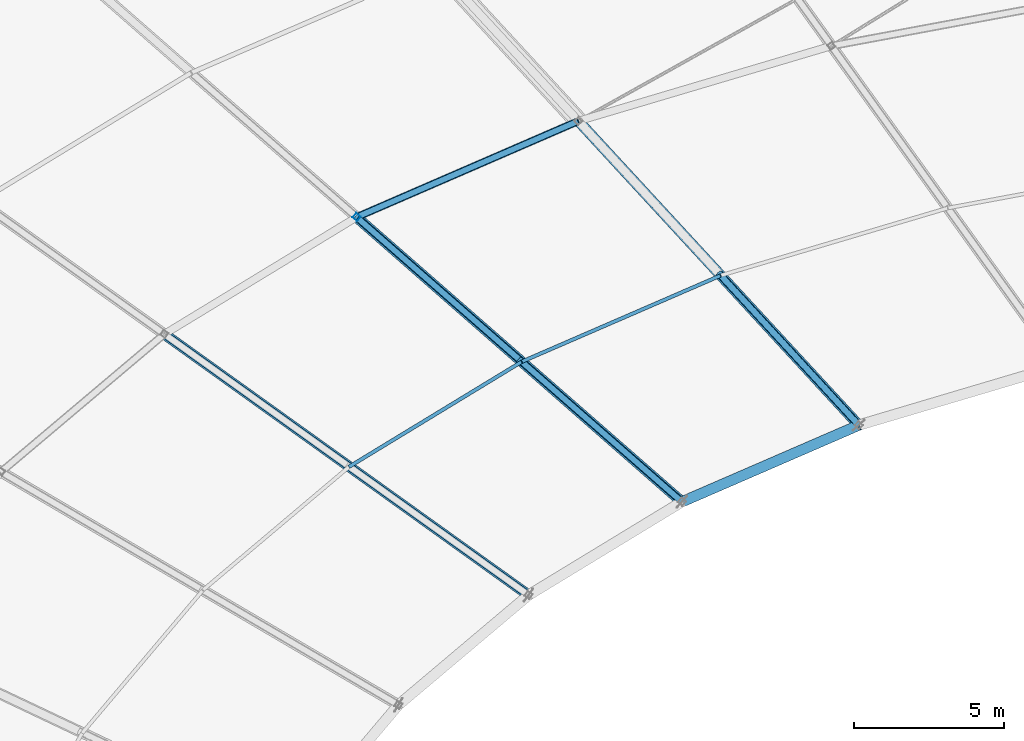
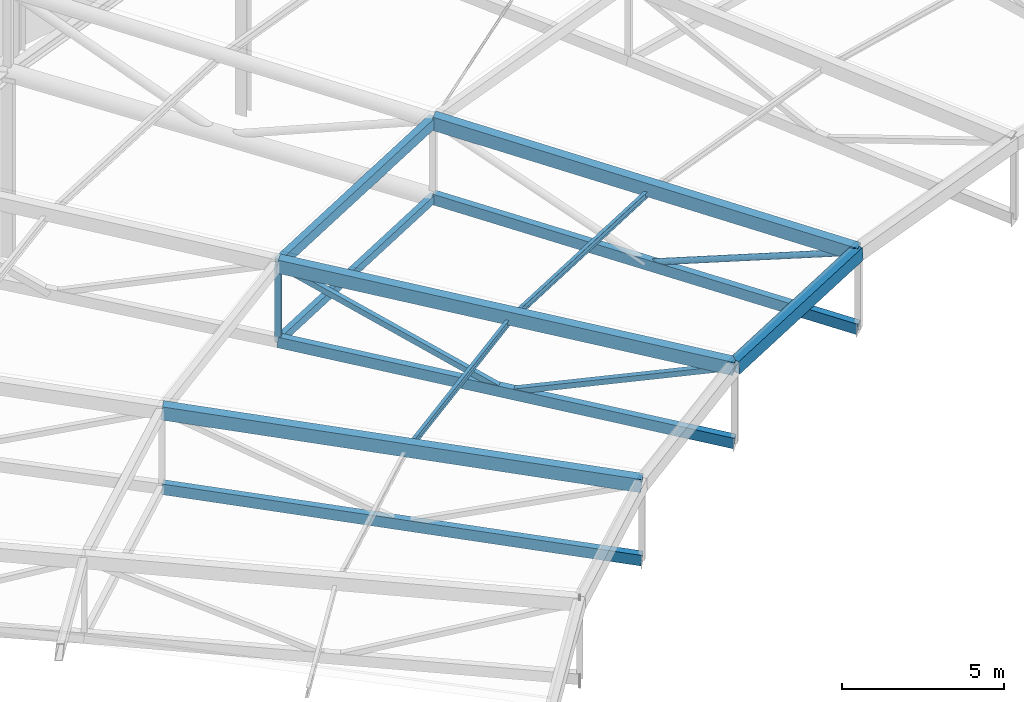
# One storey, part 51 of 143: 8 beams, 7 members.
"""IFC4 building model written with IfcOpenShell, lengths in metres."""

from ifc_helpers import new_model, si_unit, direction, frame, origin, origin_2d, place, context, subcontext, project, spatial, hollow_rectangle, hollow_circle, i_section, extrude, material, material_profile, profile_set, type_object, element, save


model = new_model("IFC4")

# Units and contexts
model_context = context("Model", 3, precision=1e-05, world=origin(), true_north=direction((0.0, 1.0)))
body_context = subcontext(model_context, "Body", "Model", "MODEL_VIEW")
ifc_project = project(units=[si_unit("LENGTHUNIT", "METRE"), si_unit("AREAUNIT", "SQUARE_METRE"), si_unit("VOLUMEUNIT", "CUBIC_METRE"), si_unit("PLANEANGLEUNIT", "RADIAN"), si_unit("MASSUNIT", "GRAM", prefix="KILO")], contexts=[model_context])

# Site, building, storey
site_placement = place(None, origin())
site = spatial("IfcSite", under=ifc_project, at=site_placement, CompositionType="ELEMENT")
building_placement = place(site_placement, origin())
building = spatial("IfcBuilding", under=site, at=building_placement, Name="Mphavela Belvedere Stadium", CompositionType="ELEMENT")
storey_placement = place(building_placement, frame((0.0, 0.0, 28.800048828125)))
storey = spatial("IfcBuildingStorey", under=building, at=storey_placement, Name="RF", CompositionType="ELEMENT", Elevation=28.800048828125)

# Beams
ifc_material_1 = material(Name="Steel S355", Category="steel")
ifc_material_profile_1 = material_profile(ifc_material_1, hollow_rectangle(XDim=0.35009765625, YDim=0.5, WallThickness=0.02001953125, at=origin_2d()), Name="RHS 500x350x20")
ifc_profile_set_1 = profile_set([ifc_material_profile_1], Name="Steel S355")
beam_type_1 = type_object("IfcBeamType", Name="BM-RING-IN", PredefinedType="BEAM", material=ifc_profile_set_1)
beam_1_placement = place(storey_placement, frame((78.20751953125, 126.904296875, 5.84619140625), z_axis=(-0.912114200375, -0.39539814222, -0.108203487017), x_axis=(0.397733327252, -0.917501062884, 0.0)))
element("IfcBeam", 1, at=beam_1_placement, inside=storey, type_object=beam_type_1, Name="Inner tension ring beam RB-IN-17", PredefinedType="BEAM", context=body_context, shape_type="SweptSolid", body=[
    extrude(hollow_rectangle(XDim=0.35009765625, YDim=0.5, WallThickness=0.02001953125, at=origin_2d()), origin(), (0.0, 0.0, 1.0), 6.459716796875),
])
ifc_material_2 = material(Name="Steel S355", Category="steel")
ifc_material_profile_2 = material_profile(ifc_material_2, hollow_rectangle(XDim=0.25, YDim=0.39990234375, WallThickness=0.01611328125, at=origin_2d()), Name="RHS 400x250x16")
ifc_profile_set_2 = profile_set([ifc_material_profile_2], Name="Steel S355")
beam_type_2 = type_object("IfcBeamType", Name="BM-RING-MID", PredefinedType="BEAM", material=ifc_profile_set_2)
beam_2_placement = place(storey_placement, frame((68.86572265625, 137.0361328125, 7.941162109375), z_axis=(-0.912119141721, -0.395386256728, -0.108205264648), x_axis=(0.397721448972, -0.917506211983, 0.0)))
element("IfcBeam", 2, at=beam_2_placement, inside=storey, type_object=beam_type_2, Name="Intermediate roof ring beam RB-MID-17", PredefinedType="BEAM", context=body_context, shape_type="SweptSolid", body=[
    extrude(hollow_rectangle(XDim=0.25, YDim=0.39990234375, WallThickness=0.01611328125, at=origin_2d()), origin(), (0.0, 0.0, 1.0), 8.10009765625),
])
ifc_material_3 = material(Name="Steel S355", Category="steel")
ifc_material_profile_3 = material_profile(ifc_material_3, hollow_rectangle(XDim=0.25, YDim=0.39990234375, WallThickness=0.01611328125, at=origin_2d()), Name="RHS 400x250x16")
ifc_profile_set_3 = profile_set([ifc_material_profile_3], Name="Steel S355")
beam_type_3 = type_object("IfcBeamType", Name="BM-TRUSS-BC2", PredefinedType="BEAM", material=ifc_profile_set_3)
beam_3_placement = place(storey_placement, frame((68.86572265625, 137.0361328125, 5.041259765625), z_axis=(0.670518818066, -0.727224831427, -0.146794275009), x_axis=(0.735189102669, 0.677862068061, 0.0)))
element("IfcBeam", 3, at=beam_3_placement, inside=storey, type_object=beam_type_3, Name="Radial roof truss RT-17 bottom chord 3", PredefinedType="BEAM", context=body_context, shape_type="SweptSolid", body=[
    extrude(hollow_rectangle(XDim=0.25, YDim=0.39990234375, WallThickness=0.01611328125, at=origin_2d()), origin(), (0.0, 0.0, 1.0), 13.93212890625),
])
beam_4_placement = place(storey_placement, frame((61.4775390625, 133.83349609375, 4.164794921875), z_axis=(0.746318226977, -0.653045260603, -0.128611786727), x_axis=(0.658514209396, 0.752568293263, 0.0)))
element("IfcBeam", 4, at=beam_4_placement, inside=storey, type_object=beam_type_3, Name="Radial roof truss RT-18 bottom chord 3", PredefinedType="BEAM", context=body_context, shape_type="SweptSolid", body=[
    extrude(hollow_rectangle(XDim=0.25, YDim=0.39990234375, WallThickness=0.01611328125, at=origin_2d()), origin(), (0.0, 0.0, 1.0), 14.521728515625),
])
beam_5_placement = place(storey_placement, frame((55.0732421875, 129.937255859375, 3.22412109375), z_axis=(0.80779940347, -0.578789637771, -0.111636369355), x_axis=(0.582430337712, 0.812880619595, 0.0)))
element("IfcBeam", 5, at=beam_5_placement, inside=storey, type_object=beam_type_3, Name="Radial roof truss RT-19 bottom chord 3", PredefinedType="BEAM", context=body_context, shape_type="SweptSolid", body=[
    extrude(hollow_rectangle(XDim=0.25, YDim=0.39990234375, WallThickness=0.01611328125, at=origin_2d()), origin(), (0.0, 0.0, 1.0), 15.02197265625),
])
ifc_material_4 = material(Name="Steel S355", Category="steel")
ifc_material_profile_4 = material_profile(ifc_material_4, hollow_rectangle(XDim=0.35009765625, YDim=0.5, WallThickness=0.02001953125, at=origin_2d()), Name="RHS 500x350x20")
ifc_profile_set_4 = profile_set([ifc_material_profile_4], Name="Steel S355")
beam_type_4 = type_object("IfcBeamType", Name="BM-TRUSS-TC2", PredefinedType="BEAM", material=ifc_profile_set_4)
beam_6_placement = place(storey_placement, frame((68.86572265625, 137.0361328125, 7.941162109375), z_axis=(0.670162956459, -0.726838874479, -0.150289262214), x_axis=(0.735189102669, 0.677862068061, 0.0)))
element("IfcBeam", 6, at=beam_6_placement, inside=storey, type_object=beam_type_4, Name="Radial roof truss RT-17 top chord 3", PredefinedType="BEAM", context=body_context, shape_type="SweptSolid", body=[
    extrude(hollow_rectangle(XDim=0.35009765625, YDim=0.5, WallThickness=0.02001953125, at=origin_2d()), origin(), (0.0, 0.0, 1.0), 13.939697265625),
])
beam_7_placement = place(storey_placement, frame((61.4775390625, 133.83349609375, 7.064697265625), z_axis=(0.74598486536, -0.652753561679, -0.131982454779), x_axis=(0.658514209396, 0.752568293263, 0.0)))
element("IfcBeam", 7, at=beam_7_placement, inside=storey, type_object=beam_type_4, Name="Radial roof truss RT-18 top chord 3", PredefinedType="BEAM", context=body_context, shape_type="SweptSolid", body=[
    extrude(hollow_rectangle(XDim=0.35009765625, YDim=0.5, WallThickness=0.02001953125, at=origin_2d()), origin(), (0.0, 0.0, 1.0), 14.5283203125),
])
beam_8_placement = place(storey_placement, frame((55.0732421875, 129.937255859375, 6.124267578125), z_axis=(0.807493132765, -0.578570194293, -0.114940727392), x_axis=(0.582430337712, 0.812880619595, 0.0)))
element("IfcBeam", 8, at=beam_8_placement, inside=storey, type_object=beam_type_4, Name="Radial roof truss RT-19 top chord 3", PredefinedType="BEAM", context=body_context, shape_type="SweptSolid", body=[
    extrude(hollow_rectangle(XDim=0.35009765625, YDim=0.5, WallThickness=0.02001953125, at=origin_2d()), origin(), (0.0, 0.0, 1.0), 15.027587890625),
])

# Members
ifc_material_5 = material(Name="Steel S355", Category="steel")
ifc_material_profile_5 = material_profile(ifc_material_5, hollow_circle(Radius=0.109619140625, WallThickness=0.012451171875, at=origin_2d()), Name="CHS 219.1x12.5")
ifc_profile_set_5 = profile_set([ifc_material_profile_5], Name="Steel S355")
member_type_1 = type_object("IfcMemberType", Name="MEM-DIAG-219", PredefinedType="BRACE", material=ifc_profile_set_5)
member_1_placement = place(storey_placement, frame((73.53662109375, 131.97021484375, 4.0185546875), z_axis=(0.655206970237, -0.710618055217, 0.25637044633), x_axis=(0.735189102669, 0.677862068061, 0.0)))
element("IfcMember", 9, at=member_1_placement, inside=storey, type_object=member_type_1, Name="Radial roof truss RT-17 web diagonal D6", PredefinedType="BRACE", context=body_context, shape_type="SweptSolid", body=[
    extrude(hollow_circle(Radius=0.109619140625, WallThickness=0.012451171875, at=origin_2d()), origin(), (0.0, 0.0, 1.0), 7.12890625),
])
ifc_material_6 = material(Name="Steel S355", Category="steel")
ifc_material_profile_6 = material_profile(ifc_material_6, hollow_rectangle(XDim=0.199951171875, YDim=0.199951171875, WallThickness=0.010009765625, at=origin_2d()), Name="SHS 200x200x10")
ifc_profile_set_6 = profile_set([ifc_material_profile_6], Name="Steel S355")
member_type_2 = type_object("IfcMemberType", Name="MEM-POST-SHS200", PredefinedType="POST", material=ifc_profile_set_6)
member_2_placement = place(storey_placement, frame((61.4775390625, 133.83349609375, 4.164794921875), z_axis=(0.0, 0.0, 1.0), x_axis=(-0.752529860433, 0.658558128912, 0.0)))
element("IfcMember", 10, at=member_2_placement, inside=storey, type_object=member_type_2, Name="Radial roof truss RT-18 post P3", PredefinedType="POST", context=body_context, shape_type="SweptSolid", body=[
    extrude(hollow_rectangle(XDim=0.199951171875, YDim=0.199951171875, WallThickness=0.010009765625, at=origin_2d()), origin(), (0.0, 0.0, 1.0), 2.89990234375),
])
member_3_placement = place(storey_placement, frame((61.4775390625, 133.83349609375, 7.064697265625), z_axis=(0.664282779611, -0.58126239618, -0.469960014788), x_axis=(0.658514209396, 0.752568293263, 0.0)))
element("IfcMember", 11, at=member_3_placement, inside=storey, type_object=member_type_2, Name="Radial roof truss RT-18 web diagonal D5", PredefinedType="POST", context=body_context, shape_type="SweptSolid", body=[
    extrude(hollow_rectangle(XDim=0.199951171875, YDim=0.199951171875, WallThickness=0.010009765625, at=origin_2d()), origin(), (0.0, 0.0, 1.0), 8.157470703125),
])
member_4_placement = place(storey_placement, frame((66.896484375, 129.091796875, 3.23095703125), z_axis=(0.7272557763, -0.636365186849, 0.257173841601), x_axis=(0.658514209396, 0.752568293263, 0.0)))
element("IfcMember", 12, at=member_4_placement, inside=storey, type_object=member_type_2, Name="Radial roof truss RT-18 web diagonal D6", PredefinedType="POST", context=body_context, shape_type="SweptSolid", body=[
    extrude(hollow_rectangle(XDim=0.199951171875, YDim=0.199951171875, WallThickness=0.010009765625, at=origin_2d()), origin(), (0.0, 0.0, 1.0), 7.451171875),
])
ifc_material_7 = material(Name="Steel S355", Category="steel")
ifc_material_profile_7 = material_profile(ifc_material_7, i_section(OverallWidth=0.1201171875, OverallDepth=0.239990234375, WebThickness=0.006103515625, FlangeThickness=0.009765625, at=origin_2d()), Name="IPE 240")
ifc_profile_set_7 = profile_set([ifc_material_profile_7], Name="Steel S355")
member_type_3 = type_object("IfcMemberType", Name="MEM-PURLIN-IPE240", PredefinedType="PURLIN", material=ifc_profile_set_7)
member_5_placement = place(storey_placement, frame((73.6083984375, 131.89208984375, 6.717529296875), z_axis=(-0.912118638699, -0.395385792223, -0.108211202035), x_axis=(0.397721240277, -0.917506302448, 0.0)))
element("IfcMember", 13, at=member_5_placement, inside=storey, type_object=member_type_3, Name="Saddle canopy steel purlin 17-1", PredefinedType="PURLIN", context=body_context, shape_type="SweptSolid", body=[
    extrude(i_section(OverallWidth=0.1201171875, OverallDepth=0.239990234375, WebThickness=0.006103515625, FlangeThickness=0.009765625, at=origin_2d()), origin(), (0.0, 0.0, 1.0), 7.26708984375),
])
member_6_placement = place(storey_placement, frame((66.97998046875, 129.018798828125, 5.93115234375), z_axis=(-0.847687512929, -0.515686174801, -0.124473489322), x_axis=(0.519728134886, -0.85433170713, 0.0)))
element("IfcMember", 14, at=member_6_placement, inside=storey, type_object=member_type_3, Name="Saddle canopy steel purlin 18-1", PredefinedType="PURLIN", context=body_context, shape_type="SweptSolid", body=[
    extrude(i_section(OverallWidth=0.1201171875, OverallDepth=0.239990234375, WebThickness=0.006103515625, FlangeThickness=0.009765625, at=origin_2d()), origin(), (0.0, 0.0, 1.0), 6.778564453125),
])
ifc_material_8 = material(Name="Steel S355", Category="steel")
ifc_material_profile_8 = material_profile(ifc_material_8, hollow_rectangle(XDim=0.199951171875, YDim=0.300048828125, WallThickness=0.011962890625, at=origin_2d()), Name="RHS 300x200x12")
ifc_profile_set_8 = profile_set([ifc_material_profile_8], Name="Steel S355")
member_type_4 = type_object("IfcMemberType", Name="MEM-SEC-CHORD", PredefinedType="CHORD", material=ifc_profile_set_8)
member_7_placement = place(storey_placement, frame((68.86572265625, 137.0361328125, 5.041259765625), z_axis=(-0.912119141721, -0.395386256728, -0.108205264648), x_axis=(0.397721448972, -0.917506211983, 0.0)))
element("IfcMember", 15, at=member_7_placement, inside=storey, type_object=member_type_4, Name="Secondary bottom roof tie chord 17", PredefinedType="CHORD", context=body_context, shape_type="SweptSolid", body=[
    extrude(hollow_rectangle(XDim=0.199951171875, YDim=0.300048828125, WallThickness=0.011962890625, at=origin_2d()), origin(), (0.0, 0.0, 1.0), 8.10009765625),
])

save(model, "model.ifc")
